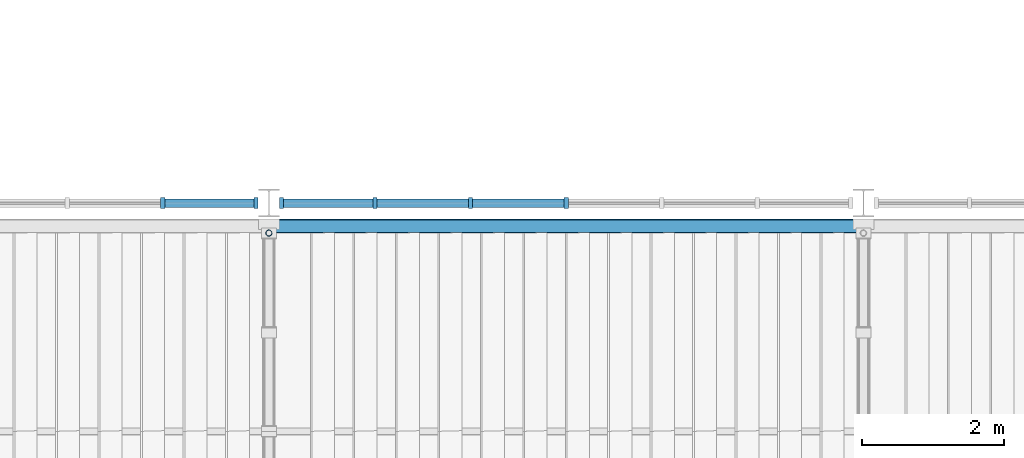
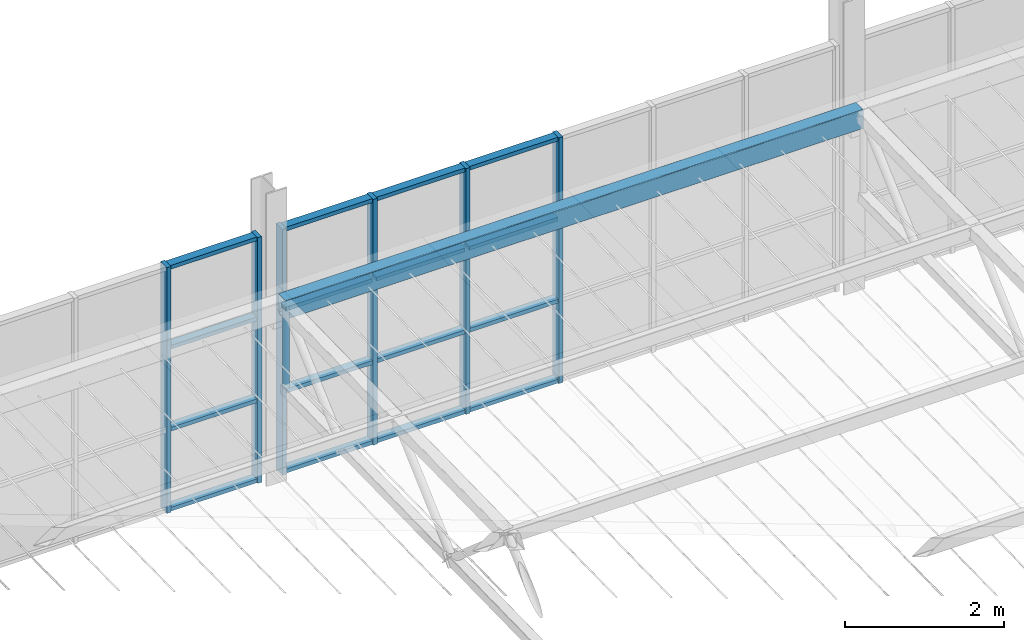
# One storey, part 24 of 129: 23 members, 1 beam, 2 elements without a shape of their own.
"""IFC4 building model written with IfcOpenShell, lengths in metres."""

from ifc_helpers import new_model, si_unit, direction, frame, origin, origin_2d, place, context, subcontext, project, spatial, rectangle, hollow_rectangle, hollow_circle, extrude, material, layer, layer_set, material_profile, profile_set, type_object, element, aggregate, save


model = new_model("IFC4")

# Units and contexts
model_context = context("Model", 3, precision=1e-05, world=origin(), true_north=direction((0.0, 1.0)))
body_context = subcontext(model_context, "Body", "Model", "MODEL_VIEW")
ifc_project = project(units=[si_unit("LENGTHUNIT", "METRE"), si_unit("AREAUNIT", "SQUARE_METRE"), si_unit("VOLUMEUNIT", "CUBIC_METRE"), si_unit("PLANEANGLEUNIT", "RADIAN"), si_unit("MASSUNIT", "GRAM", prefix="KILO")], contexts=[model_context])

# Site, building, storey
site_placement = place(None, origin())
site = spatial("IfcSite", under=ifc_project, at=site_placement, CompositionType="ELEMENT")
building_placement = place(site_placement, origin())
building = spatial("IfcBuilding", under=site, at=building_placement, Name="Ardhachandra Cancer Care Centre", CompositionType="ELEMENT")
storey_placement = place(building_placement, frame((0.0, 0.0, 4.5)))
storey = spatial("IfcBuildingStorey", under=building, at=storey_placement, Name="L01", CompositionType="ELEMENT", Elevation=4.5)

# Beam
ifc_material_1 = material(Name="Steel E350 (IS 2062)", Category="steel")
ifc_material_profile_1 = material_profile(ifc_material_1, hollow_rectangle(XDim=0.199951171875, YDim=0.300048828125, WallThickness=0.010009765625, InnerFilletRadius=0.010009765625, OuterFilletRadius=0.02001953125, at=origin_2d()), Name="RHS 300x200x10.0")
ifc_profile_set_1 = profile_set([ifc_material_profile_1], Name="Steel E350 (IS 2062)")
beam_type = type_object("IfcBeamType", Name="Canopy ring and eave beam RHS 300x200x10.0", PredefinedType="BEAM", material=ifc_profile_set_1)
beam_placement = place(storey_placement, frame((69.60009765625, 54.27490234375, 2.79541015625), z_axis=(1.0, 0.0, 0.0), x_axis=(0.0, 1.0, 0.0)))
element("IfcBeam", 1, at=beam_placement, inside=storey, type_object=beam_type, Name="Canopy eave beam 4", PredefinedType="BEAM", context=body_context, shape_type="SweptSolid", body=[
    extrude(hollow_rectangle(XDim=0.199951171875, YDim=0.300048828125, WallThickness=0.010009765625, InnerFilletRadius=0.010009765625, OuterFilletRadius=0.02001953125, at=origin_2d()), origin(), (0.0, 0.0, 1.0), 8.39990234375),
])

# Member
ifc_material_2 = material(Name="Steel E350 (IS 2062)", Category="steel")
ifc_material_profile_2 = material_profile(ifc_material_2, hollow_circle(Radius=0.04443359375, WallThickness=0.00390625, at=origin_2d()), Name="CHS 88.9x4.0")
ifc_profile_set_2 = profile_set([ifc_material_profile_2], Name="Steel E350 (IS 2062)")
member_type_1 = type_object("IfcMemberType", Name="Canopy truss post CHS 88.9x4.0", PredefinedType="POST", material=ifc_profile_set_2)
member_1_placement = place(storey_placement, frame((69.60009765625, 54.175048828125, 2.853515625), z_axis=(0.0, 0.0, -1.0), x_axis=(1.0, 0.0, 0.0)))
element("IfcMember", 2, at=member_1_placement, inside=storey, type_object=member_type_1, Name="Canopy truss 4 web vertical WV44", PredefinedType="POST", context=body_context, shape_type="SweptSolid", body=[
    extrude(hollow_circle(Radius=0.04443359375, WallThickness=0.00390625, at=origin_2d()), origin(), (0.0, 0.0, 1.0), 1.235107421875),
])

# Curtain wall, members
ifc_material_3 = material(Name="Aluminium extrusion", Category="aluminium")
ifc_layer = layer(ifc_material_3, 0.14990234375)
ifc_layer_set = layer_set([ifc_layer], Name="Aluminium extrusion")
curtain_wall_type = type_object("IfcCurtainWallType", Name="Curtain wall run", PredefinedType="NOTDEFINED", material=ifc_layer_set)
curtain_wall_1_placement = place(storey_placement, origin())
curtain_wall_1 = element("IfcCurtainWall", 3, at=curtain_wall_1_placement, inside=storey, type_object=curtain_wall_type, Name="Curtain wall L01 s/0061200_0054600", PredefinedType="NOTDEFINED")
ifc_material_4 = material(Name="Aluminium extrusion", Category="aluminium")
ifc_material_profile_3 = material_profile(ifc_material_4, rectangle(XDim=0.159912109375, YDim=0.06005859375, at=origin_2d()), Name="Curtain wall mullion 60 x 160")
ifc_profile_set_3 = profile_set([ifc_material_profile_3], Name="Aluminium extrusion")
member_type_2 = type_object("IfcMemberType", Name="Curtain wall mullion 60 x 160", PredefinedType="MULLION", material=ifc_profile_set_3)
member_2_placement = place(storey_placement, frame((68.10009765625, 54.60009765625, 0.0), z_axis=(0.0, 0.0, 1.0), x_axis=(0.0, 1.0, 0.0)))
member_2 = element("IfcMember", 4, at=member_2_placement, type_object=member_type_2, Name="CW mullion 6", PredefinedType="MULLION", context=body_context, shape_type="SweptSolid", body=[
    extrude(rectangle(XDim=0.159912109375, YDim=0.06005859375, at=origin_2d()), origin(), (0.0, 0.0, 1.0), 3.780517578125),
])
member_3_placement = place(storey_placement, frame((69.419921875, 54.60009765625, 0.0), z_axis=(0.0, 0.0, 1.0), x_axis=(0.0, 1.0, 0.0)))
member_3 = element("IfcMember", 5, at=member_3_placement, type_object=member_type_2, Name="CW mullion 7", PredefinedType="MULLION", context=body_context, shape_type="SweptSolid", body=[
    extrude(rectangle(XDim=0.159912109375, YDim=0.06005859375, at=origin_2d()), origin(), (0.0, 0.0, 1.0), 3.780517578125),
])

curtain_wall_2_placement = place(storey_placement, origin())
curtain_wall_2 = element("IfcCurtainWall", 6, at=curtain_wall_2_placement, inside=storey, type_object=curtain_wall_type, Name="Curtain wall L01 s/0069600_0054600", PredefinedType="NOTDEFINED")
member_4_placement = place(storey_placement, frame((69.780029296875, 54.60009765625, 0.0), z_axis=(0.0, 0.0, 1.0), x_axis=(0.0, 1.0, 0.0)))
member_4 = element("IfcMember", 7, at=member_4_placement, type_object=member_type_2, Name="CW mullion 1", PredefinedType="MULLION", context=body_context, shape_type="SweptSolid", body=[
    extrude(rectangle(XDim=0.159912109375, YDim=0.06005859375, at=origin_2d()), origin(), (0.0, 0.0, 1.0), 3.780517578125),
])
member_5_placement = place(storey_placement, frame((71.10009765625, 54.60009765625, 0.0), z_axis=(0.0, 0.0, 1.0), x_axis=(0.0, 1.0, 0.0)))
member_5 = element("IfcMember", 8, at=member_5_placement, type_object=member_type_2, Name="CW mullion 2", PredefinedType="MULLION", context=body_context, shape_type="SweptSolid", body=[
    extrude(rectangle(XDim=0.159912109375, YDim=0.06005859375, at=origin_2d()), origin(), (0.0, 0.0, 1.0), 3.780517578125),
])
member_6_placement = place(storey_placement, frame((72.449951171875, 54.60009765625, 0.0), z_axis=(0.0, 0.0, 1.0), x_axis=(0.0, 1.0, 0.0)))
member_6 = element("IfcMember", 9, at=member_6_placement, type_object=member_type_2, Name="CW mullion 3", PredefinedType="MULLION", context=body_context, shape_type="SweptSolid", body=[
    extrude(rectangle(XDim=0.159912109375, YDim=0.06005859375, at=origin_2d()), origin(), (0.0, 0.0, 1.0), 3.780517578125),
])
member_7_placement = place(storey_placement, frame((73.800048828125, 54.60009765625, 0.0), z_axis=(0.0, 0.0, 1.0), x_axis=(0.0, 1.0, 0.0)))
member_7 = element("IfcMember", 10, at=member_7_placement, type_object=member_type_2, Name="CW mullion 4", PredefinedType="MULLION", context=body_context, shape_type="SweptSolid", body=[
    extrude(rectangle(XDim=0.159912109375, YDim=0.06005859375, at=origin_2d()), origin(), (0.0, 0.0, 1.0), 3.780517578125),
])

# Member
ifc_material_5 = material(Name="Aluminium extrusion", Category="aluminium")
ifc_material_profile_4 = material_profile(ifc_material_5, rectangle(XDim=0.1201171875, YDim=0.06005859375, at=origin_2d()), Name="Curtain wall transom 60 x 120")
ifc_profile_set_4 = profile_set([ifc_material_profile_4], Name="Aluminium extrusion")
member_type_3 = type_object("IfcMemberType", Name="Curtain wall transom 60 x 120", PredefinedType="USERDEFINED", material=ifc_profile_set_4)
member_8_placement = place(storey_placement, frame((68.1298828125, 54.60009765625, 0.030029296875), z_axis=(1.0, 0.0, 0.0), x_axis=(0.0, 1.0, 0.0)))
member_8 = element("IfcMember", 11, at=member_8_placement, type_object=member_type_3, Name="CW transom 6.1", ObjectType="TRANSOM", PredefinedType="USERDEFINED", context=body_context, shape_type="SweptSolid", body=[
    extrude(rectangle(XDim=0.1201171875, YDim=0.06005859375, at=origin_2d()), origin(), (0.0, 0.0, 1.0), 1.260009765625),
])

member_9_placement = place(storey_placement, frame((68.1298828125, 54.60009765625, 1.26025390625), z_axis=(1.0, 0.0, 0.0), x_axis=(0.0, 1.0, 0.0)))
member_9 = element("IfcMember", 12, at=member_9_placement, type_object=member_type_3, Name="CW transom 6.2", ObjectType="TRANSOM", PredefinedType="USERDEFINED", context=body_context, shape_type="SweptSolid", body=[
    extrude(rectangle(XDim=0.1201171875, YDim=0.06005859375, at=origin_2d()), origin(), (0.0, 0.0, 1.0), 1.260009765625),
])

member_10_placement = place(storey_placement, frame((68.1298828125, 54.60009765625, 2.520263671875), z_axis=(1.0, 0.0, 0.0), x_axis=(0.0, 1.0, 0.0)))
member_10 = element("IfcMember", 13, at=member_10_placement, type_object=member_type_3, Name="CW transom 6.3", ObjectType="TRANSOM", PredefinedType="USERDEFINED", context=body_context, shape_type="SweptSolid", body=[
    extrude(rectangle(XDim=0.1201171875, YDim=0.06005859375, at=origin_2d()), origin(), (0.0, 0.0, 1.0), 1.260009765625),
])

member_11_placement = place(storey_placement, frame((68.1298828125, 54.60009765625, 3.75048828125), z_axis=(1.0, 0.0, 0.0), x_axis=(0.0, 1.0, 0.0)))
member_11 = element("IfcMember", 14, at=member_11_placement, type_object=member_type_3, Name="CW transom 6.4", ObjectType="TRANSOM", PredefinedType="USERDEFINED", context=body_context, shape_type="SweptSolid", body=[
    extrude(rectangle(XDim=0.1201171875, YDim=0.06005859375, at=origin_2d()), origin(), (0.0, 0.0, 1.0), 1.260009765625),
])

aggregate(curtain_wall_1, [member_2, member_3, member_8, member_9, member_10, member_11])

member_12_placement = place(storey_placement, frame((69.81005859375, 54.60009765625, 0.030029296875), z_axis=(1.0, 0.0, 0.0), x_axis=(0.0, 1.0, 0.0)))
member_12 = element("IfcMember", 15, at=member_12_placement, type_object=member_type_3, Name="CW transom 1.1", ObjectType="TRANSOM", PredefinedType="USERDEFINED", context=body_context, shape_type="SweptSolid", body=[
    extrude(rectangle(XDim=0.1201171875, YDim=0.06005859375, at=origin_2d()), origin(), (0.0, 0.0, 1.0), 1.260009765625),
])

member_13_placement = place(storey_placement, frame((69.81005859375, 54.60009765625, 1.26025390625), z_axis=(1.0, 0.0, 0.0), x_axis=(0.0, 1.0, 0.0)))
member_13 = element("IfcMember", 16, at=member_13_placement, type_object=member_type_3, Name="CW transom 1.2", ObjectType="TRANSOM", PredefinedType="USERDEFINED", context=body_context, shape_type="SweptSolid", body=[
    extrude(rectangle(XDim=0.1201171875, YDim=0.06005859375, at=origin_2d()), origin(), (0.0, 0.0, 1.0), 1.260009765625),
])

member_14_placement = place(storey_placement, frame((69.81005859375, 54.60009765625, 2.520263671875), z_axis=(1.0, 0.0, 0.0), x_axis=(0.0, 1.0, 0.0)))
member_14 = element("IfcMember", 17, at=member_14_placement, type_object=member_type_3, Name="CW transom 1.3", ObjectType="TRANSOM", PredefinedType="USERDEFINED", context=body_context, shape_type="SweptSolid", body=[
    extrude(rectangle(XDim=0.1201171875, YDim=0.06005859375, at=origin_2d()), origin(), (0.0, 0.0, 1.0), 1.260009765625),
])

member_15_placement = place(storey_placement, frame((69.81005859375, 54.60009765625, 3.75048828125), z_axis=(1.0, 0.0, 0.0), x_axis=(0.0, 1.0, 0.0)))
member_15 = element("IfcMember", 18, at=member_15_placement, type_object=member_type_3, Name="CW transom 1.4", ObjectType="TRANSOM", PredefinedType="USERDEFINED", context=body_context, shape_type="SweptSolid", body=[
    extrude(rectangle(XDim=0.1201171875, YDim=0.06005859375, at=origin_2d()), origin(), (0.0, 0.0, 1.0), 1.260009765625),
])

member_16_placement = place(storey_placement, frame((71.1298828125, 54.60009765625, 0.030029296875), z_axis=(1.0, 0.0, 0.0), x_axis=(0.0, 1.0, 0.0)))
member_16 = element("IfcMember", 19, at=member_16_placement, type_object=member_type_3, Name="CW transom 2.1", ObjectType="TRANSOM", PredefinedType="USERDEFINED", context=body_context, shape_type="SweptSolid", body=[
    extrude(rectangle(XDim=0.1201171875, YDim=0.06005859375, at=origin_2d()), origin(), (0.0, 0.0, 1.0), 1.2900390625),
])

member_17_placement = place(storey_placement, frame((71.1298828125, 54.60009765625, 1.26025390625), z_axis=(1.0, 0.0, 0.0), x_axis=(0.0, 1.0, 0.0)))
member_17 = element("IfcMember", 20, at=member_17_placement, type_object=member_type_3, Name="CW transom 2.2", ObjectType="TRANSOM", PredefinedType="USERDEFINED", context=body_context, shape_type="SweptSolid", body=[
    extrude(rectangle(XDim=0.1201171875, YDim=0.06005859375, at=origin_2d()), origin(), (0.0, 0.0, 1.0), 1.2900390625),
])

member_18_placement = place(storey_placement, frame((71.1298828125, 54.60009765625, 2.520263671875), z_axis=(1.0, 0.0, 0.0), x_axis=(0.0, 1.0, 0.0)))
member_18 = element("IfcMember", 21, at=member_18_placement, type_object=member_type_3, Name="CW transom 2.3", ObjectType="TRANSOM", PredefinedType="USERDEFINED", context=body_context, shape_type="SweptSolid", body=[
    extrude(rectangle(XDim=0.1201171875, YDim=0.06005859375, at=origin_2d()), origin(), (0.0, 0.0, 1.0), 1.2900390625),
])

member_19_placement = place(storey_placement, frame((71.1298828125, 54.60009765625, 3.75048828125), z_axis=(1.0, 0.0, 0.0), x_axis=(0.0, 1.0, 0.0)))
member_19 = element("IfcMember", 22, at=member_19_placement, type_object=member_type_3, Name="CW transom 2.4", ObjectType="TRANSOM", PredefinedType="USERDEFINED", context=body_context, shape_type="SweptSolid", body=[
    extrude(rectangle(XDim=0.1201171875, YDim=0.06005859375, at=origin_2d()), origin(), (0.0, 0.0, 1.0), 1.2900390625),
])

member_20_placement = place(storey_placement, frame((72.47998046875, 54.60009765625, 0.030029296875), z_axis=(1.0, 0.0, 0.0), x_axis=(0.0, 1.0, 0.0)))
member_20 = element("IfcMember", 23, at=member_20_placement, type_object=member_type_3, Name="CW transom 3.1", ObjectType="TRANSOM", PredefinedType="USERDEFINED", context=body_context, shape_type="SweptSolid", body=[
    extrude(rectangle(XDim=0.1201171875, YDim=0.06005859375, at=origin_2d()), origin(), (0.0, 0.0, 1.0), 1.2900390625),
])

member_21_placement = place(storey_placement, frame((72.47998046875, 54.60009765625, 1.26025390625), z_axis=(1.0, 0.0, 0.0), x_axis=(0.0, 1.0, 0.0)))
member_21 = element("IfcMember", 24, at=member_21_placement, type_object=member_type_3, Name="CW transom 3.2", ObjectType="TRANSOM", PredefinedType="USERDEFINED", context=body_context, shape_type="SweptSolid", body=[
    extrude(rectangle(XDim=0.1201171875, YDim=0.06005859375, at=origin_2d()), origin(), (0.0, 0.0, 1.0), 1.2900390625),
])

member_22_placement = place(storey_placement, frame((72.47998046875, 54.60009765625, 2.520263671875), z_axis=(1.0, 0.0, 0.0), x_axis=(0.0, 1.0, 0.0)))
member_22 = element("IfcMember", 25, at=member_22_placement, type_object=member_type_3, Name="CW transom 3.3", ObjectType="TRANSOM", PredefinedType="USERDEFINED", context=body_context, shape_type="SweptSolid", body=[
    extrude(rectangle(XDim=0.1201171875, YDim=0.06005859375, at=origin_2d()), origin(), (0.0, 0.0, 1.0), 1.2900390625),
])

member_23_placement = place(storey_placement, frame((72.47998046875, 54.60009765625, 3.75048828125), z_axis=(1.0, 0.0, 0.0), x_axis=(0.0, 1.0, 0.0)))
member_23 = element("IfcMember", 26, at=member_23_placement, type_object=member_type_3, Name="CW transom 3.4", ObjectType="TRANSOM", PredefinedType="USERDEFINED", context=body_context, shape_type="SweptSolid", body=[
    extrude(rectangle(XDim=0.1201171875, YDim=0.06005859375, at=origin_2d()), origin(), (0.0, 0.0, 1.0), 1.2900390625),
])

aggregate(curtain_wall_2, [member_4, member_5, member_6, member_7, member_12, member_13, member_14, member_15, member_16, member_17, member_18, member_19, member_20, member_21, member_22, member_23])

save(model, "model.ifc")
